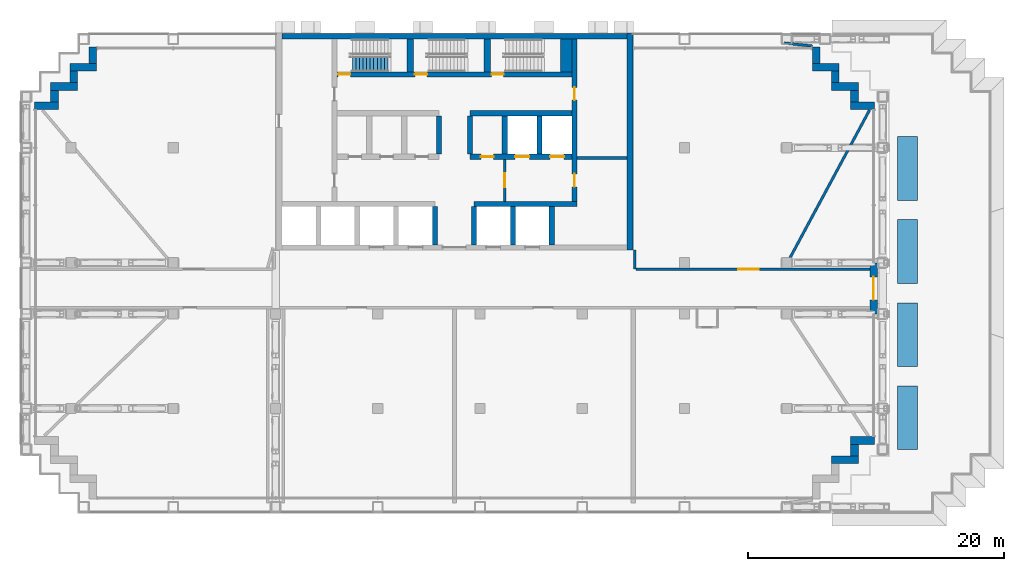
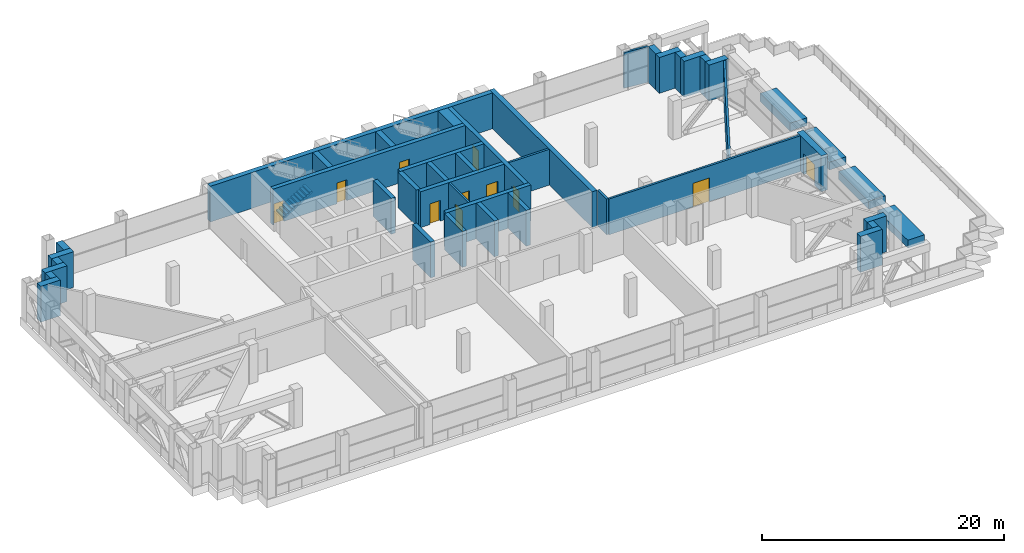
# One storey, part 10 of 25: 44 walls, 11 doors, 1 stair flight, 11 openings, 1 element without a shape of its own.
"""IFC4 building model written with IfcOpenShell, lengths in metres."""

from ifc_helpers import new_model, si_unit, direction, frame, frame_2d, origin, place, context, subcontext, project, spatial, polyline, rectangle, outline, extrude, material, layer, layer_set, type_object, element, fill, aggregate, save


model = new_model("IFC4")

# Units and contexts
model_context = context("Model", 3, precision=1e-05, world=origin(), true_north=direction((0.0, 1.0)))
body_context = subcontext(model_context, "Body", "Model", "MODEL_VIEW")
ifc_project = project(units=[si_unit("LENGTHUNIT", "METRE"), si_unit("AREAUNIT", "SQUARE_METRE"), si_unit("VOLUMEUNIT", "CUBIC_METRE"), si_unit("PLANEANGLEUNIT", "RADIAN"), si_unit("MASSUNIT", "GRAM", prefix="KILO")], contexts=[model_context])

# Site, building, storey
site_placement = place(None, origin())
site = spatial("IfcSite", under=ifc_project, at=site_placement, CompositionType="ELEMENT")
building_placement = place(site_placement, origin())
building = spatial("IfcBuilding", under=site, at=building_placement, Name="Vidyagriha Tower", CompositionType="ELEMENT")
storey_placement = place(building_placement, frame((0.0, 0.0, 115.89990234375)))
storey = spatial("IfcBuildingStorey", under=building, at=storey_placement, Name="L29", CompositionType="ELEMENT", Elevation=115.89990234375)

# Walls
ifc_material_1 = material(Name="Precast concrete C40/50 with brick facing", Category="concrete")
ifc_layer_1 = layer(ifc_material_1, 1.60009765625)
ifc_layer_set_1 = layer_set([ifc_layer_1], Name="Precast concrete C40/50 with brick facing")
wall_type_1 = type_object("IfcWallType", Name="Brick planter box 1600", PredefinedType="STANDARD", material=ifc_layer_set_1)
for number, where, z_axis, x_axis, name in (
    (1, (35.449951171875, -12.628662109375, 0.0), (0.0, 0.0, 1.0), (0.0, 1.0, 0.0), "PLANTER L29 1"),
    (2, (35.449951171875, -6.128662109375, 0.0), (0.0, 0.0, 1.0), (0.0, 1.0, 0.0), "PLANTER L29 2"),
    (3, (35.449951171875, 0.371337890625, 0.0), (0.0, 0.0, 1.0), (0.0, 1.0, 0.0), "PLANTER L29 3"),
    (4, (35.449951171875, 6.871337890625, 0.0), (0.0, 0.0, 1.0), (0.0, 1.0, 0.0), "PLANTER L29 4"),
):
    element("IfcWall", number, at=place(storey_placement, frame(where, z_axis=z_axis, x_axis=x_axis)), inside=storey, type_object=wall_type_1, Name=name, PredefinedType="STANDARD", context=body_context, shape_type="SweptSolid", body=[
        extrude(rectangle(XDim=5.0, YDim=1.60009765625, at=frame_2d((2.5, 0.0))), origin(), (0.0, 0.0, 1.0), 0.800048828125),
    ])
ifc_material_2 = material(Name="Precast concrete C40/50 with brick facing", Category="concrete")
ifc_layer_2 = layer(ifc_material_2, 0.60009765625)
ifc_layer_set_2 = layer_set([ifc_layer_2], Name="Precast concrete C40/50 with brick facing")
wall_type_2 = type_object("IfcWallType", Name="Brick-faced precast wall 600", PredefinedType="STANDARD", material=ifc_layer_set_2)
wall_1_placement = place(storey_placement, frame((32.8798828125, 14.300048828125, 0.0), z_axis=(0.0, 0.0, 1.0), x_axis=(-1.0, 0.0, 0.0)))
element("IfcWall", 5, at=wall_1_placement, inside=storey, type_object=wall_type_2, Name="Stepped corner wall L29 R01", PredefinedType="STANDARD", context=body_context, shape_type="SweptSolid", body=[
    extrude(rectangle(XDim=1.8798828125, YDim=0.60009765625, at=frame_2d((0.93994140625, 0.0))), origin(), (0.0, 0.0, 1.0), 3.6201171875),
])
wall_2_placement = place(storey_placement, frame((31.300048828125, 14.60009765625, 0.0), z_axis=(0.0, 0.0, 1.0), x_axis=(0.0, 1.0, 0.0)))
element("IfcWall", 6, at=wall_2_placement, inside=storey, type_object=wall_type_2, Name="Stepped corner wall L29 R02", PredefinedType="STANDARD", context=body_context, shape_type="SweptSolid", body=[
    extrude(rectangle(XDim=0.89990234375, YDim=0.60009765625, at=frame_2d((0.449951171875, 0.0))), origin(), (0.0, 0.0, 1.0), 3.6201171875),
])
wall_3_placement = place(storey_placement, frame((31.60009765625, 15.800048828125, 0.0), z_axis=(0.0, 0.0, 1.0), x_axis=(-1.0, 0.0, 0.0)))
element("IfcWall", 7, at=wall_3_placement, inside=storey, type_object=wall_type_2, Name="Stepped corner wall L29 R03", PredefinedType="STANDARD", context=body_context, shape_type="SweptSolid", body=[
    extrude(rectangle(XDim=2.10009765625, YDim=0.60009765625, at=frame_2d((1.050048828125, 0.0))), origin(), (0.0, 0.0, 1.0), 3.6201171875),
])
wall_4_placement = place(storey_placement, frame((29.800048828125, 16.10009765625, 0.0), z_axis=(0.0, 0.0, 1.0), x_axis=(0.0, 1.0, 0.0)))
element("IfcWall", 8, at=wall_4_placement, inside=storey, type_object=wall_type_2, Name="Stepped corner wall L29 R04", PredefinedType="STANDARD", context=body_context, shape_type="SweptSolid", body=[
    extrude(rectangle(XDim=0.89990234375, YDim=0.60009765625, at=frame_2d((0.449951171875, 0.0))), origin(), (0.0, 0.0, 1.0), 3.6201171875),
])
wall_5_placement = place(storey_placement, frame((30.10009765625, 17.300048828125, 0.0), z_axis=(0.0, 0.0, 1.0), x_axis=(-1.0, 0.0, 0.0)))
element("IfcWall", 9, at=wall_5_placement, inside=storey, type_object=wall_type_2, Name="Stepped corner wall L29 R05", PredefinedType="STANDARD", context=body_context, shape_type="SweptSolid", body=[
    extrude(rectangle(XDim=2.10009765625, YDim=0.60009765625, at=frame_2d((1.050048828125, 0.0))), origin(), (0.0, 0.0, 1.0), 3.6201171875),
])
for number, where, z_axis, x_axis, name in (
    (10, (28.300048828125, 17.60009765625, 0.0), (0.0, 0.0, 1.0), (0.0, 1.0, 0.0), "Stepped corner wall L29 R06"),
    (11, (-28.300048828125, 18.8798828125, 0.0), (0.0, 0.0, 1.0), (0.0, -1.0, 0.0), "Stepped corner wall L29 R10"),
):
    element("IfcWall", number, at=place(storey_placement, frame(where, z_axis=z_axis, x_axis=x_axis)), inside=storey, type_object=wall_type_2, Name=name, PredefinedType="STANDARD", context=body_context, shape_type="SweptSolid", body=[
        extrude(rectangle(XDim=1.27978515625, YDim=0.60009765625, at=frame_2d((0.639892578125, 0.0))), origin(), (0.0, 0.0, 1.0), 3.6201171875),
    ])
wall_6_placement = place(storey_placement, frame((-28.0, 17.300048828125, 0.0), z_axis=(0.0, 0.0, 1.0), x_axis=(-1.0, 0.0, 0.0)))
element("IfcWall", 12, at=wall_6_placement, inside=storey, type_object=wall_type_2, Name="Stepped corner wall L29 R11", PredefinedType="STANDARD", context=body_context, shape_type="SweptSolid", body=[
    extrude(rectangle(XDim=2.10009765625, YDim=0.60009765625, at=frame_2d((1.050048828125, 0.0))), origin(), (0.0, 0.0, 1.0), 3.6201171875),
])
wall_7_placement = place(storey_placement, frame((-29.800048828125, 17.0, 0.0), z_axis=(0.0, 0.0, 1.0), x_axis=(0.0, -1.0, 0.0)))
element("IfcWall", 13, at=wall_7_placement, inside=storey, type_object=wall_type_2, Name="Stepped corner wall L29 R12", PredefinedType="STANDARD", context=body_context, shape_type="SweptSolid", body=[
    extrude(rectangle(XDim=0.89990234375, YDim=0.60009765625, at=frame_2d((0.449951171875, 0.0))), origin(), (0.0, 0.0, 1.0), 3.6201171875),
])
wall_8_placement = place(storey_placement, frame((-29.5, 15.800048828125, 0.0), z_axis=(0.0, 0.0, 1.0), x_axis=(-1.0, 0.0, 0.0)))
element("IfcWall", 14, at=wall_8_placement, inside=storey, type_object=wall_type_2, Name="Stepped corner wall L29 R13", PredefinedType="STANDARD", context=body_context, shape_type="SweptSolid", body=[
    extrude(rectangle(XDim=2.10009765625, YDim=0.60009765625, at=frame_2d((1.050048828125, 0.0))), origin(), (0.0, 0.0, 1.0), 3.6201171875),
])
wall_9_placement = place(storey_placement, frame((-31.300048828125, 15.5, 0.0), z_axis=(0.0, 0.0, 1.0), x_axis=(0.0, -1.0, 0.0)))
element("IfcWall", 15, at=wall_9_placement, inside=storey, type_object=wall_type_2, Name="Stepped corner wall L29 R14", PredefinedType="STANDARD", context=body_context, shape_type="SweptSolid", body=[
    extrude(rectangle(XDim=0.89990234375, YDim=0.60009765625, at=frame_2d((0.449951171875, 0.0))), origin(), (0.0, 0.0, 1.0), 3.6201171875),
])
wall_10_placement = place(storey_placement, frame((-31.0, 14.300048828125, 0.0), z_axis=(0.0, 0.0, 1.0), x_axis=(-1.0, 0.0, 0.0)))
element("IfcWall", 16, at=wall_10_placement, inside=storey, type_object=wall_type_2, Name="Stepped corner wall L29 R15", PredefinedType="STANDARD", context=body_context, shape_type="SweptSolid", body=[
    extrude(rectangle(XDim=1.8798828125, YDim=0.60009765625, at=frame_2d((0.93994140625, 0.0))), origin(), (0.0, 0.0, 1.0), 3.6201171875),
])
wall_11_placement = place(storey_placement, frame((29.5, -13.39990234375, 0.0)))
element("IfcWall", 17, at=wall_11_placement, inside=storey, type_object=wall_type_2, Name="Stepped corner wall L29 R27", PredefinedType="STANDARD", context=body_context, shape_type="SweptSolid", body=[
    extrude(rectangle(XDim=2.10009765625, YDim=0.60009765625, at=frame_2d((1.050048828125, 0.0))), origin(), (0.0, 0.0, 1.0), 3.6201171875),
])
wall_12_placement = place(storey_placement, frame((31.300048828125, -13.10009765625, 0.0), z_axis=(0.0, 0.0, 1.0), x_axis=(0.0, 1.0, 0.0)))
element("IfcWall", 18, at=wall_12_placement, inside=storey, type_object=wall_type_2, Name="Stepped corner wall L29 R28", PredefinedType="STANDARD", context=body_context, shape_type="SweptSolid", body=[
    extrude(rectangle(XDim=0.900146484375, YDim=0.60009765625, at=frame_2d((0.4501953125, 0.0))), origin(), (0.0, 0.0, 1.0), 3.6201171875),
])
wall_13_placement = place(storey_placement, frame((31.0, -11.89990234375, 0.0)))
element("IfcWall", 19, at=wall_13_placement, inside=storey, type_object=wall_type_2, Name="Stepped corner wall L29 R29", PredefinedType="STANDARD", context=body_context, shape_type="SweptSolid", body=[
    extrude(rectangle(XDim=1.8798828125, YDim=0.60009765625, at=frame_2d((0.93994140625, 0.0))), origin(), (0.0, 0.0, 1.0), 3.6201171875),
])

# Wall, opening, door
wall_14_placement = place(storey_placement, frame((32.800048828125, -2.0, 0.0), z_axis=(0.0, 0.0, 1.0), x_axis=(0.0, 1.0, 0.0)))
wall_14 = element("IfcWall", 20, at=wall_14_placement, inside=storey, type_object=wall_type_2, Name="Brick door bay wall L29 R30.3", PredefinedType="STANDARD", context=body_context, shape_type="SweptSolid", body=[
    extrude(rectangle(XDim=4.0, YDim=0.60009765625, at=frame_2d((2.0, 0.0))), origin(), (0.0, 0.0, 1.0), 3.6201171875),
])
opening_1_placement = place(wall_14_placement, frame((1.10009765625, 0.0, 0.0)))
opening_1 = element("IfcOpeningElement", 21, at=opening_1_placement, cuts=wall_14, Name="Opening D29-01", PredefinedType="OPENING", context=body_context, shape_type="SweptSolid", body=[
    extrude(rectangle(XDim=1.800048828125, YDim=2.10009765625, at=frame_2d((0.89990234375, 1.050048828125))), frame((0.0, 0.31005859375, 0.0), z_axis=(0.0, -1.0, 0.0), x_axis=(1.0, 0.0, 0.0)), (0.0, 0.0, 1.0), 0.6201171875),
])
ifc_material_3 = material(Name="Aluminium and glass door", Category="aluminium")
door_type_1 = type_object("IfcDoorType", Name="Entrance double leaf glazed door 1800x2100", OperationType="NOTDEFINED", PredefinedType="DOOR", material=ifc_material_3)
door_1_placement = place(opening_1_placement, frame((1.800048828125, 0.0, 0.0), z_axis=(0.0, 0.0, 1.0), x_axis=(-1.0, 0.0, 0.0)))
door_1 = element("IfcDoor", 22, at=door_1_placement, inside=storey, type_object=door_type_1, Name="Deck door D29-01", OperationType="DOUBLE_DOOR_SINGLE_SWING", OverallHeight=2.10009765625, OverallWidth=1.800048828125, PredefinedType="DOOR", context=body_context, shape_type="SweptSolid", body=[
    extrude(rectangle(XDim=1.800048828125, YDim=2.10009765625, at=frame_2d((0.89990234375, 1.050048828125))), frame((0.0, 0.02490234375, 0.0), z_axis=(0.0, -1.0, 0.0), x_axis=(1.0, 0.0, 0.0)), (0.0, 0.0, 1.0), 0.050048828125),
])
fill(opening_1, door_1)

# Wall, openings, doors
ifc_material_4 = material(Name="Concrete C60/75", Category="concrete")
ifc_layer_3 = layer(ifc_material_4, 0.39990234375)
ifc_layer_set_3 = layer_set([ifc_layer_3], Name="Concrete C60/75")
wall_type_3 = type_object("IfcWallType", Name="Core shear wall 400 mm", PredefinedType="SHEAR", material=ifc_layer_set_3)
wall_15_placement = place(storey_placement, frame((9.39990234375, 6.800048828125, 0.0), z_axis=(0.0, 0.0, 1.0), x_axis=(0.0, 1.0, 0.0)))
wall_15 = element("IfcWall", 23, at=wall_15_placement, inside=storey, type_object=wall_type_3, Name="Core east spine wall", PredefinedType="SHEAR", context=body_context, shape_type="SweptSolid", body=[
    extrude(rectangle(XDim=12.699951171875, YDim=0.39990234375, at=frame_2d((6.35009765625, 0.0))), origin(), (0.0, 0.0, 1.0), 3.6201171875),
])
opening_2_placement = place(wall_15_placement, frame((1.14990234375, 0.0, 0.0)))
opening_2 = element("IfcOpeningElement", 24, at=opening_2_placement, cuts=wall_15, Name="Opening D29-14", PredefinedType="OPENING", context=body_context, shape_type="SweptSolid", body=[
    extrude(rectangle(XDim=1.0, YDim=2.10009765625, at=frame_2d((0.5, 1.050048828125))), frame((0.0, 0.2099609375, 0.0), z_axis=(0.0, -1.0, 0.0), x_axis=(1.0, 0.0, 0.0)), (0.0, 0.0, 1.0), 0.419921875),
])
opening_3_placement = place(wall_15_placement, frame((7.925048828125, 0.0, 0.0)))
opening_3 = element("IfcOpeningElement", 25, at=opening_3_placement, cuts=wall_15, Name="Opening D29-15", PredefinedType="OPENING", context=body_context, shape_type="SweptSolid", body=[
    extrude(rectangle(XDim=1.0, YDim=2.10009765625, at=frame_2d((0.5, 1.050048828125))), frame((0.0, 0.2099609375, 0.0), z_axis=(0.0, -1.0, 0.0), x_axis=(1.0, 0.0, 0.0)), (0.0, 0.0, 1.0), 0.419921875),
])
ifc_material_5 = material(Name="Hollow metal door leaf")
door_type_2 = type_object("IfcDoorType", Name="Core room door 1000 x 2100 mm EI 60", OperationType="NOTDEFINED", PredefinedType="DOOR", material=ifc_material_5)
door_2_placement = place(opening_2_placement, origin())
door_2 = element("IfcDoor", 26, at=door_2_placement, inside=storey, type_object=door_type_2, Name="Door Switchgear Room 29.E1", OperationType="SINGLE_SWING_RIGHT", OverallHeight=2.10009765625, OverallWidth=1.0, PredefinedType="DOOR", context=body_context, shape_type="SweptSolid", body=[
    extrude(rectangle(XDim=1.0, YDim=2.10009765625, at=frame_2d((0.5, 1.050048828125))), frame((0.0, 0.02490234375, 0.0), z_axis=(0.0, -1.0, 0.0), x_axis=(1.0, 0.0, 0.0)), (0.0, 0.0, 1.0), 0.050048828125),
])
fill(opening_2, door_2)
door_3_placement = place(opening_3_placement, origin())
door_3 = element("IfcDoor", 27, at=door_3_placement, inside=storey, type_object=door_type_2, Name="Door Electrical Room 29.E2", OperationType="SINGLE_SWING_LEFT", OverallHeight=2.10009765625, OverallWidth=1.0, PredefinedType="DOOR", context=body_context, shape_type="SweptSolid", body=[
    extrude(rectangle(XDim=1.0, YDim=2.10009765625, at=frame_2d((0.5, 1.050048828125))), frame((0.0, 0.02490234375, 0.0), z_axis=(0.0, -1.0, 0.0), x_axis=(1.0, 0.0, 0.0)), (0.0, 0.0, 1.0), 0.050048828125),
])
fill(opening_3, door_3)

# Walls
wall_16_placement = place(storey_placement, frame((1.522216796875, 6.60009765625, 0.0)))
element("IfcWall", 28, at=wall_16_placement, inside=storey, type_object=wall_type_3, Name="Core lobby south wall east", PredefinedType="SHEAR", context=body_context, shape_type="SweptSolid", body=[
    extrude(rectangle(XDim=8.077880859375, YDim=0.39990234375, at=frame_2d((4.0390625, 0.0))), origin(), (0.0, 0.0, 1.0), 3.6201171875),
])
for number, where, z_axis, x_axis, name in (
    (29, (-1.522216796875, 3.39990234375, 0.0), (0.0, 0.0, 1.0), (0.0, 1.0, 0.0), "Core bay wall S4"),
    (30, (1.522216796875, 3.39990234375, 0.0), (0.0, 0.0, 1.0), (0.0, 1.0, 0.0), "Core bay wall S5"),
    (31, (4.566650390625, 3.39990234375, 0.0), (0.0, 0.0, 1.0), (0.0, 1.0, 0.0), "Core bay wall S6"),
    (32, (7.611083984375, 3.39990234375, 0.0), (0.0, 0.0, 1.0), (0.0, 1.0, 0.0), "Core bay wall S7"),
):
    element("IfcWall", number, at=place(storey_placement, frame(where, z_axis=z_axis, x_axis=x_axis)), inside=storey, type_object=wall_type_3, Name=name, PredefinedType="SHEAR", context=body_context, shape_type="SweptSolid", body=[
        extrude(rectangle(XDim=3.0, YDim=0.39990234375, at=frame_2d((1.5, 0.0))), origin(), (0.0, 0.0, 1.0), 3.6201171875),
    ])

# Wall, openings, doors
wall_17_placement = place(storey_placement, frame((1.199951171875, 10.300048828125, 0.0)))
wall_17 = element("IfcWall", 33, at=wall_17_placement, inside=storey, type_object=wall_type_3, Name="Core row N front wall", PredefinedType="SHEAR", context=body_context, shape_type="SweptSolid", body=[
    extrude(rectangle(XDim=8.0, YDim=0.39990234375, at=frame_2d((4.0, 0.0))), origin(), (0.0, 0.0, 1.0), 3.6201171875),
])
opening_4_placement = place(wall_17_placement, frame((3.550048828125, 0.0, 0.0)))
opening_4 = element("IfcOpeningElement", 34, at=opening_4_placement, cuts=wall_17, Name="Opening LD29-05", PredefinedType="OPENING", context=body_context, shape_type="SweptSolid", body=[
    extrude(rectangle(XDim=1.10009765625, YDim=2.10009765625, at=frame_2d((0.550048828125, 1.050048828125))), frame((0.0, 0.2099609375, 0.0), z_axis=(0.0, -1.0, 0.0), x_axis=(1.0, 0.0, 0.0)), (0.0, 0.0, 1.0), 0.419921875),
])
opening_5_placement = place(wall_17_placement, frame((6.283203125, 0.0, 0.0)))
opening_5 = element("IfcOpeningElement", 35, at=opening_5_placement, cuts=wall_17, Name="Opening LD29-06", PredefinedType="OPENING", context=body_context, shape_type="SweptSolid", body=[
    extrude(rectangle(XDim=1.10009765625, YDim=2.10009765625, at=frame_2d((0.550048828125, 1.050048828125))), frame((0.0, 0.2099609375, 0.0), z_axis=(0.0, -1.0, 0.0), x_axis=(1.0, 0.0, 0.0)), (0.0, 0.0, 1.0), 0.419921875),
])
opening_6_placement = place(wall_17_placement, frame((0.86669921875, 0.0, 0.0)))
opening_6 = element("IfcOpeningElement", 36, at=opening_6_placement, cuts=wall_17, Name="Opening D29-06", PredefinedType="OPENING", context=body_context, shape_type="SweptSolid", body=[
    extrude(rectangle(XDim=1.0, YDim=2.10009765625, at=frame_2d((0.5, 1.050048828125))), frame((0.0, 0.2099609375, 0.0), z_axis=(0.0, -1.0, 0.0), x_axis=(1.0, 0.0, 0.0)), (0.0, 0.0, 1.0), 0.419921875),
])
door_4_placement = place(opening_6_placement, frame((1.0, 0.0, 0.0), z_axis=(0.0, 0.0, 1.0), x_axis=(-1.0, 0.0, 0.0)))
door_4 = element("IfcDoor", 37, at=door_4_placement, inside=storey, type_object=door_type_2, Name="Door Switchgear Room 29.17", OperationType="SINGLE_SWING_LEFT", OverallHeight=2.10009765625, OverallWidth=1.0, PredefinedType="DOOR", context=body_context, shape_type="SweptSolid", body=[
    extrude(rectangle(XDim=1.0, YDim=2.10009765625, at=frame_2d((0.5, 1.050048828125))), frame((0.0, 0.02490234375, 0.0), z_axis=(0.0, -1.0, 0.0), x_axis=(1.0, 0.0, 0.0)), (0.0, 0.0, 1.0), 0.050048828125),
])
fill(opening_6, door_4)
ifc_material_6 = material(Name="Stainless steel sliding door panel", Category="steel")
door_type_3 = type_object("IfcDoorType", Name="Lift landing door 1100 x 2100 mm EI 90", OperationType="NOTDEFINED", PredefinedType="DOOR", material=ifc_material_6)
door_5_placement = place(opening_4_placement, origin())
door_5 = element("IfcDoor", 38, at=door_5_placement, inside=storey, type_object=door_type_3, Name="Landing door FF1 L29", OperationType="SLIDING_TO_LEFT", OverallHeight=2.10009765625, OverallWidth=1.10009765625, PredefinedType="DOOR", context=body_context, shape_type="SweptSolid", body=[
    extrude(rectangle(XDim=1.10009765625, YDim=2.10009765625, at=frame_2d((0.550048828125, 1.050048828125))), frame((0.0, 0.02490234375, 0.0), z_axis=(0.0, -1.0, 0.0), x_axis=(1.0, 0.0, 0.0)), (0.0, 0.0, 1.0), 0.050048828125),
])
fill(opening_4, door_5)
door_6_placement = place(opening_5_placement, origin())
door_6 = element("IfcDoor", 39, at=door_6_placement, inside=storey, type_object=door_type_3, Name="Landing door FF2 L29", OperationType="SLIDING_TO_LEFT", OverallHeight=2.10009765625, OverallWidth=1.10009765625, PredefinedType="DOOR", context=body_context, shape_type="SweptSolid", body=[
    extrude(rectangle(XDim=1.10009765625, YDim=2.10009765625, at=frame_2d((0.550048828125, 1.050048828125))), frame((0.0, 0.02490234375, 0.0), z_axis=(0.0, -1.0, 0.0), x_axis=(1.0, 0.0, 0.0)), (0.0, 0.0, 1.0), 0.050048828125),
])
fill(opening_5, door_6)

# Walls
wall_18_placement = place(storey_placement, frame((1.199951171875, 13.699951171875, 0.0)))
element("IfcWall", 40, at=wall_18_placement, inside=storey, type_object=wall_type_3, Name="Core row N rear wall", PredefinedType="SHEAR", context=body_context, shape_type="SweptSolid", body=[
    extrude(rectangle(XDim=8.0, YDim=0.39990234375, at=frame_2d((4.0, 0.0))), origin(), (0.0, 0.0, 1.0), 3.6201171875),
])
for number, where, z_axis, x_axis, name in (
    (41, (-1.199951171875, 10.5, 0.0), (0.0, 0.0, 1.0), (0.0, 1.0, 0.0), "Core bay wall N3"),
    (42, (1.199951171875, 10.5, 0.0), (0.0, 0.0, 1.0), (0.0, 1.0, 0.0), "Core bay wall N4"),
    (43, (3.933349609375, 10.5, 0.0), (0.0, 0.0, 1.0), (0.0, 1.0, 0.0), "Core bay wall N5"),
    (44, (6.666748046875, 10.5, 0.0), (0.0, 0.0, 1.0), (0.0, 1.0, 0.0), "Core bay wall N6"),
):
    element("IfcWall", number, at=place(storey_placement, frame(where, z_axis=z_axis, x_axis=x_axis)), inside=storey, type_object=wall_type_3, Name=name, PredefinedType="SHEAR", context=body_context, shape_type="SweptSolid", body=[
        extrude(rectangle(XDim=3.0, YDim=0.39990234375, at=frame_2d((1.5, 0.0))), origin(), (0.0, 0.0, 1.0), 3.6201171875),
    ])

# Wall, openings, doors
wall_19_placement = place(storey_placement, frame((-9.199951171875, 16.75, 0.0)))
wall_19 = element("IfcWall", 45, at=wall_19_placement, inside=storey, type_object=wall_type_3, Name="Stair front wall", PredefinedType="SHEAR", context=body_context, shape_type="SweptSolid", body=[
    extrude(rectangle(XDim=18.39990234375, YDim=0.39990234375, at=frame_2d((9.199951171875, 0.0))), origin(), (0.0, 0.0, 1.0), 3.6201171875),
])
opening_7_placement = place(wall_19_placement, frame((0.10009765625, 0.0, 0.0)))
opening_7 = element("IfcOpeningElement", 46, at=opening_7_placement, cuts=wall_19, Name="Opening D29-08", PredefinedType="OPENING", context=body_context, shape_type="SweptSolid", body=[
    extrude(rectangle(XDim=0.949951171875, YDim=2.10009765625, at=frame_2d((0.47509765625, 1.050048828125))), frame((0.0, 0.2099609375, 0.0), z_axis=(0.0, -1.0, 0.0), x_axis=(1.0, 0.0, 0.0)), (0.0, 0.0, 1.0), 0.419921875),
])
opening_8_placement = place(wall_19_placement, frame((6.10009765625, 0.0, 0.0)))
opening_8 = element("IfcOpeningElement", 47, at=opening_8_placement, cuts=wall_19, Name="Opening D29-09", PredefinedType="OPENING", context=body_context, shape_type="SweptSolid", body=[
    extrude(rectangle(XDim=0.949951171875, YDim=2.10009765625, at=frame_2d((0.47509765625, 1.050048828125))), frame((0.0, 0.2099609375, 0.0), z_axis=(0.0, -1.0, 0.0), x_axis=(1.0, 0.0, 0.0)), (0.0, 0.0, 1.0), 0.419921875),
])
opening_9_placement = place(wall_19_placement, frame((12.10009765625, 0.0, 0.0)))
opening_9 = element("IfcOpeningElement", 48, at=opening_9_placement, cuts=wall_19, Name="Opening D29-10", PredefinedType="OPENING", context=body_context, shape_type="SweptSolid", body=[
    extrude(rectangle(XDim=0.949951171875, YDim=2.10009765625, at=frame_2d((0.47509765625, 1.050048828125))), frame((0.0, 0.2099609375, 0.0), z_axis=(0.0, -1.0, 0.0), x_axis=(1.0, 0.0, 0.0)), (0.0, 0.0, 1.0), 0.419921875),
])
ifc_material_7 = material(Name="Hollow metal door leaf")
door_type_4 = type_object("IfcDoorType", Name="Exit stair door 950 x 2100 mm EI 90", OperationType="NOTDEFINED", PredefinedType="DOOR", material=ifc_material_7)
door_7_placement = place(opening_7_placement, origin())
door_7 = element("IfcDoor", 49, at=door_7_placement, inside=storey, type_object=door_type_4, Name="Stair door ST1 L29", OperationType="SINGLE_SWING_LEFT", OverallHeight=2.10009765625, OverallWidth=0.949951171875, PredefinedType="DOOR", context=body_context, shape_type="SweptSolid", body=[
    extrude(rectangle(XDim=0.949951171875, YDim=2.10009765625, at=frame_2d((0.47509765625, 1.050048828125))), frame((0.0, 0.02490234375, 0.0), z_axis=(0.0, -1.0, 0.0), x_axis=(1.0, 0.0, 0.0)), (0.0, 0.0, 1.0), 0.050048828125),
])
fill(opening_7, door_7)
door_8_placement = place(opening_8_placement, origin())
door_8 = element("IfcDoor", 50, at=door_8_placement, inside=storey, type_object=door_type_4, Name="Stair door ST2 L29", OperationType="SINGLE_SWING_LEFT", OverallHeight=2.10009765625, OverallWidth=0.949951171875, PredefinedType="DOOR", context=body_context, shape_type="SweptSolid", body=[
    extrude(rectangle(XDim=0.949951171875, YDim=2.10009765625, at=frame_2d((0.47509765625, 1.050048828125))), frame((0.0, 0.02490234375, 0.0), z_axis=(0.0, -1.0, 0.0), x_axis=(1.0, 0.0, 0.0)), (0.0, 0.0, 1.0), 0.050048828125),
])
fill(opening_8, door_8)
door_9_placement = place(opening_9_placement, origin())
door_9 = element("IfcDoor", 51, at=door_9_placement, inside=storey, type_object=door_type_4, Name="Stair door ST3 L29", OperationType="SINGLE_SWING_LEFT", OverallHeight=2.10009765625, OverallWidth=0.949951171875, PredefinedType="DOOR", context=body_context, shape_type="SweptSolid", body=[
    extrude(rectangle(XDim=0.949951171875, YDim=2.10009765625, at=frame_2d((0.47509765625, 1.050048828125))), frame((0.0, 0.02490234375, 0.0), z_axis=(0.0, -1.0, 0.0), x_axis=(1.0, 0.0, 0.0)), (0.0, 0.0, 1.0), 0.050048828125),
])
fill(opening_9, door_9)

# Walls
ifc_material_8 = material(Name="Concrete C60/75", Category="concrete")
ifc_layer_4 = layer(ifc_material_8, 0.449951171875)
ifc_layer_set_4 = layer_set([ifc_layer_4], Name="Concrete C60/75")
wall_type_4 = type_object("IfcWallType", Name="Core shear wall 450 mm", PredefinedType="SHEAR", material=ifc_layer_set_4)
wall_20_placement = place(storey_placement, frame((13.72509765625, 3.0, 0.0), z_axis=(0.0, 0.0, 1.0), x_axis=(0.0, 1.0, 0.0)))
element("IfcWall", 52, at=wall_20_placement, inside=storey, type_object=wall_type_4, Name="Core east wall", PredefinedType="SHEAR", context=body_context, shape_type="SweptSolid", body=[
    extrude(rectangle(XDim=17.0, YDim=0.449951171875, at=frame_2d((8.5, 0.0))), origin(), (0.0, 0.0, 1.0), 3.6201171875),
])
wall_21_placement = place(storey_placement, frame((-13.5, 19.72509765625, 0.0)))
element("IfcWall", 53, at=wall_21_placement, inside=storey, type_object=wall_type_4, Name="Core north wall", PredefinedType="SHEAR", context=body_context, shape_type="SweptSolid", body=[
    extrude(rectangle(XDim=27.0, YDim=0.449951171875, at=frame_2d((13.5, 0.0))), origin(), (0.0, 0.0, 1.0), 3.6201171875),
])
ifc_material_9 = material(Name="Concrete C60/75", Category="concrete")
ifc_layer_5 = layer(ifc_material_9, 0.5)
ifc_layer_set_5 = layer_set([ifc_layer_5], Name="Concrete C60/75")
wall_type_5 = type_object("IfcWallType", Name="Core shear wall 500 mm", PredefinedType="SHEAR", material=ifc_layer_set_5)
for number, where, z_axis, x_axis, name in (
    (54, (-3.449951171875, 16.949951171875, 0.0), (0.0, 0.0, 1.0), (0.0, 1.0, 0.0), "Stair partition wall 1"),
    (55, (2.550048828125, 16.949951171875, 0.0), (0.0, 0.0, 1.0), (0.0, 1.0, 0.0), "Stair partition wall 2"),
):
    element("IfcWall", number, at=place(storey_placement, frame(where, z_axis=z_axis, x_axis=x_axis)), inside=storey, type_object=wall_type_5, Name=name, PredefinedType="SHEAR", context=body_context, shape_type="SweptSolid", body=[
        extrude(rectangle(XDim=2.550048828125, YDim=0.5, at=frame_2d((1.27490234375, 0.0))), origin(), (0.0, 0.0, 1.0), 3.6201171875),
    ])
ifc_material_10 = material(Name="Concrete C60/75", Category="concrete")
ifc_layer_6 = layer(ifc_material_10, 0.89990234375)
ifc_layer_set_6 = layer_set([ifc_layer_6], Name="Concrete C60/75")
wall_type_6 = type_object("IfcWallType", Name="Core shear wall 900 mm", PredefinedType="SHEAR", material=ifc_layer_set_6)
wall_22_placement = place(storey_placement, frame((8.75, 16.949951171875, 0.0), z_axis=(0.0, 0.0, 1.0), x_axis=(0.0, 1.0, 0.0)))
element("IfcWall", 56, at=wall_22_placement, inside=storey, type_object=wall_type_6, Name="Stair end wall", PredefinedType="SHEAR", context=body_context, shape_type="SweptSolid", body=[
    extrude(rectangle(XDim=2.550048828125, YDim=0.89990234375, at=frame_2d((1.27490234375, 0.0))), origin(), (0.0, 0.0, 1.0), 3.6201171875),
])

# Wall, opening, door
ifc_material_11 = material(Name="Blockwork 15 MPa", Category="masonry")
ifc_layer_7 = layer(ifc_material_11, 0.199951171875)
ifc_layer_set_7 = layer_set([ifc_layer_7], Name="Blockwork 15 MPa")
wall_type_7 = type_object("IfcWallType", Name="Service room partition 200 mm", PredefinedType="PARTITIONING", material=ifc_layer_set_7)
wall_23_placement = place(storey_placement, frame((3.933349609375, 6.800048828125, 0.0), z_axis=(0.0, 0.0, 1.0), x_axis=(0.0, 1.0, 0.0)))
wall_23 = element("IfcWall", 57, at=wall_23_placement, inside=storey, type_object=wall_type_7, Name="Fire-fighting lobby west wall", PredefinedType="PARTITIONING", context=body_context, shape_type="SweptSolid", body=[
    extrude(rectangle(XDim=3.300048828125, YDim=0.199951171875, at=frame_2d((1.64990234375, 0.0))), origin(), (0.0, 0.0, 1.0), 3.6201171875),
])
opening_10_placement = place(wall_23_placement, frame((1.10009765625, 0.0, 0.0)))
opening_10 = element("IfcOpeningElement", 58, at=opening_10_placement, cuts=wall_23, Name="Opening D29-07", PredefinedType="OPENING", context=body_context, shape_type="SweptSolid", body=[
    extrude(rectangle(XDim=1.10009765625, YDim=2.10009765625, at=frame_2d((0.550048828125, 1.050048828125))), frame((0.0, 0.10986328125, 0.0), z_axis=(0.0, -1.0, 0.0), x_axis=(1.0, 0.0, 0.0)), (0.0, 0.0, 1.0), 0.219970703125),
])
ifc_material_12 = material(Name="Hollow metal door leaf")
door_type_5 = type_object("IfcDoorType", Name="Fire-fighting lobby door 1100 x 2100 mm EI 90", OperationType="NOTDEFINED", PredefinedType="DOOR", material=ifc_material_12)
door_10_placement = place(opening_10_placement, origin())
door_10 = element("IfcDoor", 59, at=door_10_placement, inside=storey, type_object=door_type_5, Name="Fire-fighting lobby door L29", OperationType="SINGLE_SWING_RIGHT", OverallHeight=2.10009765625, OverallWidth=1.10009765625, PredefinedType="DOOR", context=body_context, shape_type="SweptSolid", body=[
    extrude(rectangle(XDim=1.10009765625, YDim=2.10009765625, at=frame_2d((0.550048828125, 1.050048828125))), frame((0.0, 0.02490234375, 0.0), z_axis=(0.0, -1.0, 0.0), x_axis=(1.0, 0.0, 0.0)), (0.0, 0.0, 1.0), 0.050048828125),
])
fill(opening_10, door_10)

# Wall
wall_24_placement = place(storey_placement, frame((9.60009765625, 10.199951171875, 0.0)))
element("IfcWall", 60, at=wall_24_placement, inside=storey, type_object=wall_type_7, Name="Core room partition E1", PredefinedType="PARTITIONING", context=body_context, shape_type="SweptSolid", body=[
    extrude(rectangle(XDim=3.89990234375, YDim=0.199951171875, at=frame_2d((1.949951171875, 0.0))), origin(), (0.0, 0.0, 1.0), 3.6201171875),
])

# Wall, opening, door
wall_25_placement = place(storey_placement, frame((14.199951171875, 1.5, 0.0)))
wall_25 = element("IfcWall", 61, at=wall_25_placement, inside=storey, type_object=wall_type_7, Name="Plant corridor north wall east", PredefinedType="PARTITIONING", context=body_context, shape_type="SweptSolid", body=[
    extrude(rectangle(XDim=18.300048828125, YDim=0.199951171875, at=frame_2d((9.14990234375, 0.0))), origin(), (0.0, 0.0, 1.0), 3.6201171875),
])
opening_11_placement = place(wall_25_placement, frame((8.0, 0.0, 0.0)))
opening_11 = element("IfcOpeningElement", 62, at=opening_11_placement, cuts=wall_25, Name="Opening D29-22", PredefinedType="OPENING", context=body_context, shape_type="SweptSolid", body=[
    extrude(rectangle(XDim=1.60009765625, YDim=2.39990234375, at=frame_2d((0.800048828125, 1.199951171875))), frame((0.0, 0.10986328125, 0.0), z_axis=(0.0, -1.0, 0.0), x_axis=(1.0, 0.0, 0.0)), (0.0, 0.0, 1.0), 0.219970703125),
])
ifc_material_13 = material(Name="Hollow metal door leaf")
door_type_6 = type_object("IfcDoorType", Name="Plant room double door 1600 x 2400 mm EI 90", OperationType="NOTDEFINED", PredefinedType="DOOR", material=ifc_material_13)
door_11_placement = place(opening_11_placement, frame((1.60009765625, 0.0, 0.0), z_axis=(0.0, 0.0, 1.0), x_axis=(-1.0, 0.0, 0.0)))
door_11 = element("IfcDoor", 63, at=door_11_placement, inside=storey, type_object=door_type_6, Name="Door Fire Pump Room 29.E1", OperationType="DOUBLE_DOOR_SINGLE_SWING", OverallHeight=2.39990234375, OverallWidth=1.60009765625, PredefinedType="DOOR", context=body_context, shape_type="SweptSolid", body=[
    extrude(rectangle(XDim=1.60009765625, YDim=2.39990234375, at=frame_2d((0.800048828125, 1.199951171875))), frame((0.0, 0.02490234375, 0.0), z_axis=(0.0, -1.0, 0.0), x_axis=(1.0, 0.0, 0.0)), (0.0, 0.0, 1.0), 0.050048828125),
])
fill(opening_11, door_11)

# Walls
wall_26_placement = place(storey_placement, frame((14.10009765625, 1.5, 0.0), z_axis=(0.0, 0.0, 1.0), x_axis=(0.0, 1.0, 0.0)))
element("IfcWall", 64, at=wall_26_placement, inside=storey, type_object=wall_type_7, Name="Lift hall east return wall", PredefinedType="PARTITIONING", context=body_context, shape_type="SweptSolid", body=[
    extrude(rectangle(XDim=1.5, YDim=0.199951171875, at=frame_2d((0.75, 0.0))), origin(), (0.0, 0.0, 1.0), 3.6201171875),
])
wall_27_placement = place(storey_placement, frame((25.853759765625, 1.64404296875, 0.0), z_axis=(0.0, 0.0, 1.0), x_axis=(0.473899953107, 0.880578692932, 0.0)))
element("IfcWall", 65, at=wall_27_placement, inside=storey, type_object=wall_type_7, Name="Plant room wall", PredefinedType="PARTITIONING", context=body_context, shape_type="SweptSolid", body=[
    extrude(rectangle(XDim=13.986328125, YDim=0.199951171875, at=frame_2d((6.9931640625, 0.0))), origin(), (0.0, 0.0, 1.0), 3.6201171875),
])
wall_28_placement = place(storey_placement, frame((25.830078125, 19.199951171875, 0.0), z_axis=(0.0, 0.0, 1.0), x_axis=(0.993841474797, -0.110811204185, 0.0)))
element("IfcWall", 66, at=wall_28_placement, inside=storey, type_object=wall_type_7, Name="Plant room wall", PredefinedType="PARTITIONING", context=body_context, shape_type="SweptSolid", body=[
    extrude(rectangle(XDim=2.187744140625, YDim=0.199951171875, at=frame_2d((1.09375, 0.0))), origin(), (0.0, 0.0, 1.0), 3.6201171875),
])

# Stair, stair flight
ifc_material_14 = material(Name="Concrete C40/50", Category="concrete")
stair_type = type_object("IfcStairType", Name="Exit stair, half-turn, precast flights", PredefinedType="HALF_TURN_STAIR", material=ifc_material_14)
stair_placement = place(storey_placement, origin())
stair = element("IfcStair", 67, at=stair_placement, inside=storey, type_object=stair_type, Name="L29 Exit Stair ST1", PredefinedType="HALF_TURN_STAIR")
ifc_material_15 = material(Name="Precast concrete C40/50", Category="concrete")
stair_flight_type = type_object("IfcStairFlightType", Name="Exit stair flight 1200 mm, precast", PredefinedType="STRAIGHT", material=ifc_material_15)
stair_flight_placement = place(storey_placement, frame((-8.0, 17.550048828125, 0.0)))
stair_flight = element("IfcStairFlight", 68, at=stair_flight_placement, type_object=stair_flight_type, Name="ST1 flight 1", NumberOfRisers=11, NumberOfTreads=10, PredefinedType="STRAIGHT", RiserHeight=0.177272727, TreadLength=0.28, context=body_context, shape_type="SweptSolid", body=[
    extrude(outline(polyline([(0.0, 0.0), (0.0, 0.17724609375), (0.280029296875, 0.17724609375), (0.280029296875, 0.3544921875), (0.56005859375, 0.3544921875), (0.56005859375, 0.53173828125), (0.840087890625, 0.53173828125), (0.840087890625, 0.708984375), (1.1201171875, 0.708984375), (1.1201171875, 0.886474609375), (1.39990234375, 0.886474609375), (1.39990234375, 1.063720703125), (1.679931640625, 1.063720703125), (1.679931640625, 1.240966796875), (1.9599609375, 1.240966796875), (1.9599609375, 1.418212890625), (2.239990234375, 1.418212890625), (2.239990234375, 1.595458984375), (2.52001953125, 1.595458984375), (2.52001953125, 1.772705078125), (2.800048828125, 1.772705078125), (2.800048828125, 1.949951171875), (2.800048828125, 1.59521484375), (0.2802734375, 0.0), (0.0, 0.0)])), frame((0.0, 0.60009765625, 0.0), z_axis=(0.0, -1.0, 0.0), x_axis=(1.0, 0.0, 0.0)), (0.0, 0.0, 1.0), 1.199951171875),
])
aggregate(stair, [stair_flight])

save(model, "model.ifc")
